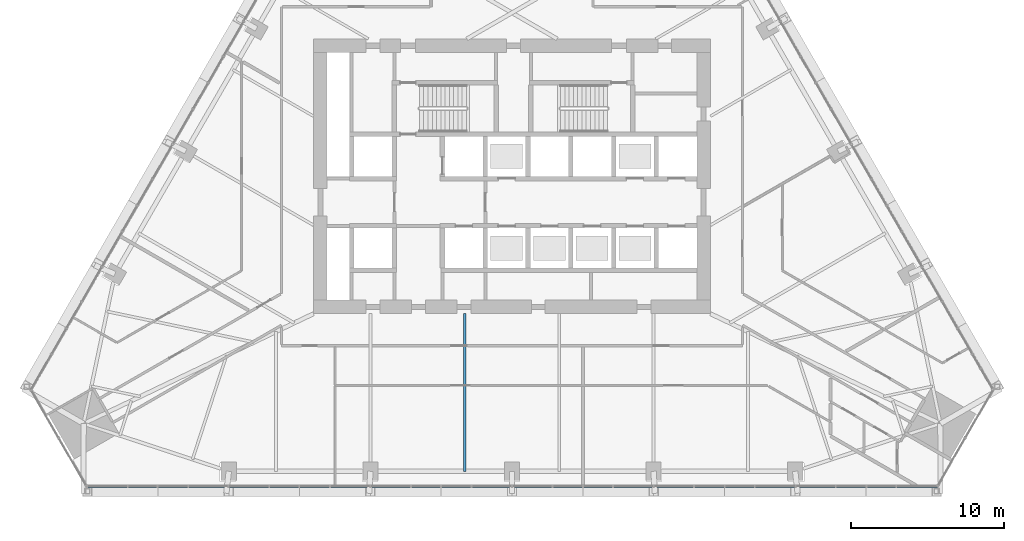
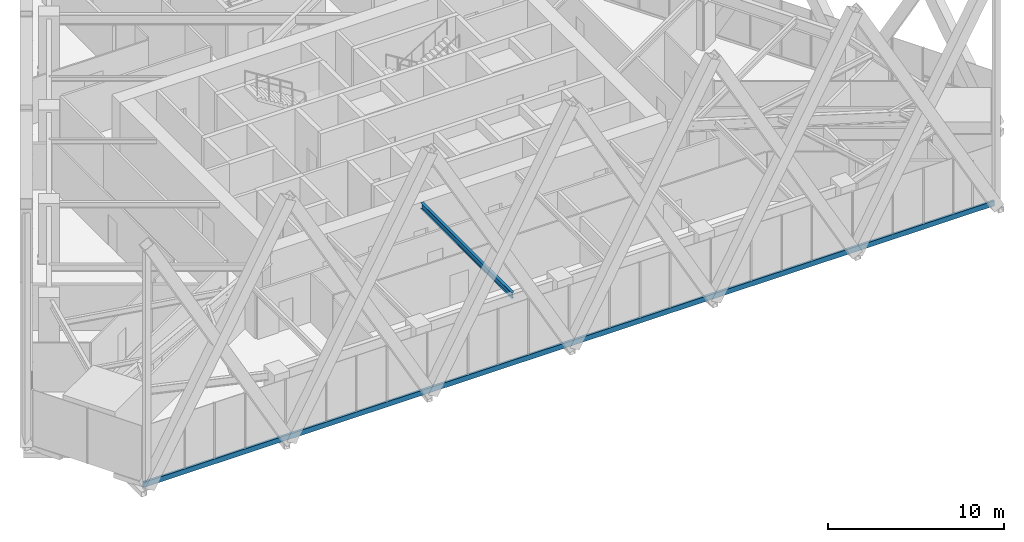
# One storey, part 3 of 19: 1 beam, 1 member, 1 element without a shape of its own.
"""IFC4 building model written with IfcOpenShell, lengths in metres."""

from ifc_helpers import new_model, si_unit, direction, frame, origin, origin_2d, place, context, subcontext, project, spatial, rectangle, i_section, extrude, material, layer, layer_set, material_profile, profile_set, type_object, element, aggregate, save


model = new_model("IFC4")

# Units and contexts
model_context = context("Model", 3, precision=1e-05, world=origin(), true_north=direction((0.0, 1.0)))
body_context = subcontext(model_context, "Body", "Model", "MODEL_VIEW")
ifc_project = project(units=[si_unit("LENGTHUNIT", "METRE"), si_unit("AREAUNIT", "SQUARE_METRE"), si_unit("VOLUMEUNIT", "CUBIC_METRE"), si_unit("PLANEANGLEUNIT", "RADIAN"), si_unit("MASSUNIT", "GRAM", prefix="KILO")], contexts=[model_context])

# Site, building, storey
site_placement = place(None, origin())
site = spatial("IfcSite", under=ifc_project, at=site_placement, CompositionType="ELEMENT")
building_placement = place(site_placement, origin())
building = spatial("IfcBuilding", under=site, at=building_placement, Name="Firuza Gate Tower and Library", CompositionType="ELEMENT")
storey_placement = place(building_placement, frame((0.0, 0.0, 124.0)))
storey = spatial("IfcBuildingStorey", under=building, at=storey_placement, Name="L28", CompositionType="ELEMENT", Elevation=124.0)

# Curtain wall, member
ifc_material_1 = material(Name="Aluminium 6063-T6", Category="aluminium")
ifc_layer = layer(ifc_material_1, 0.14990234375)
ifc_layer_set = layer_set([ifc_layer], Name="Unitised curtain wall, offices")
curtain_wall_type = type_object("IfcCurtainWallType", Name="Unitised curtain wall, offices", PredefinedType="NOTDEFINED", material=ifc_layer_set)
curtain_wall_placement = place(storey_placement, origin())
curtain_wall = element("IfcCurtainWall", 1, at=curtain_wall_placement, inside=storey, type_object=curtain_wall_type, Name="CW1 L28 S face", PredefinedType="NOTDEFINED")
ifc_material_2 = material(Name="Aluminium 6063-T6", Category="aluminium")
ifc_material_profile_1 = material_profile(ifc_material_2, rectangle(XDim=0.14990234375, YDim=0.35009765625, at=origin_2d()))
ifc_profile_set_1 = profile_set([ifc_material_profile_1], Name="Aluminium 6063-T6")
member_type = type_object("IfcMemberType", Name="Curtain wall transom 350x150", PredefinedType="USERDEFINED", material=ifc_profile_set_1)
member_placement = place(storey_placement, frame((47.139892578125, 54.7080078125, -0.02490234375), z_axis=(1.0, 0.0, 0.0), x_axis=(0.0, 1.0, 0.0)))
member = element("IfcMember", 2, at=member_placement, type_object=member_type, Name="Transom", ObjectType="TRANSOM", PredefinedType="USERDEFINED", context=body_context, shape_type="SweptSolid", body=[
    extrude(rectangle(XDim=0.14990234375, YDim=0.35009765625, at=origin_2d()), origin(), (0.0, 0.0, 1.0), 55.72021484375),
])
aggregate(curtain_wall, [member])

# Beam
ifc_material_3 = material(Name="Steel S355", Category="steel")
ifc_material_profile_2 = material_profile(ifc_material_3, i_section(OverallWidth=0.177978515625, OverallDepth=0.406982421875, WebThickness=0.0078125, FlangeThickness=0.0126953125, at=origin_2d()))
ifc_profile_set_2 = profile_set([ifc_material_profile_2], Name="Steel S355")
beam_type = type_object("IfcBeamType", Name="W410x60 Floor beam", PredefinedType="JOIST", material=ifc_profile_set_2)
beam_placement = place(storey_placement, frame((71.9091796875, 55.68310546875, 3.79638671875), z_axis=(0.0, 1.0, 0.0), x_axis=(-1.0, 0.0, 0.0)))
element("IfcBeam", 3, at=beam_placement, inside=storey, type_object=beam_type, Name="Floor beam L28 s22", PredefinedType="JOIST", context=body_context, shape_type="SweptSolid", body=[
    extrude(i_section(OverallWidth=0.177978515625, OverallDepth=0.406982421875, WebThickness=0.0078125, FlangeThickness=0.0126953125, at=origin_2d()), origin(), (0.0, 0.0, 1.0), 10.31689453125),
])

save(model, "model.ifc")
